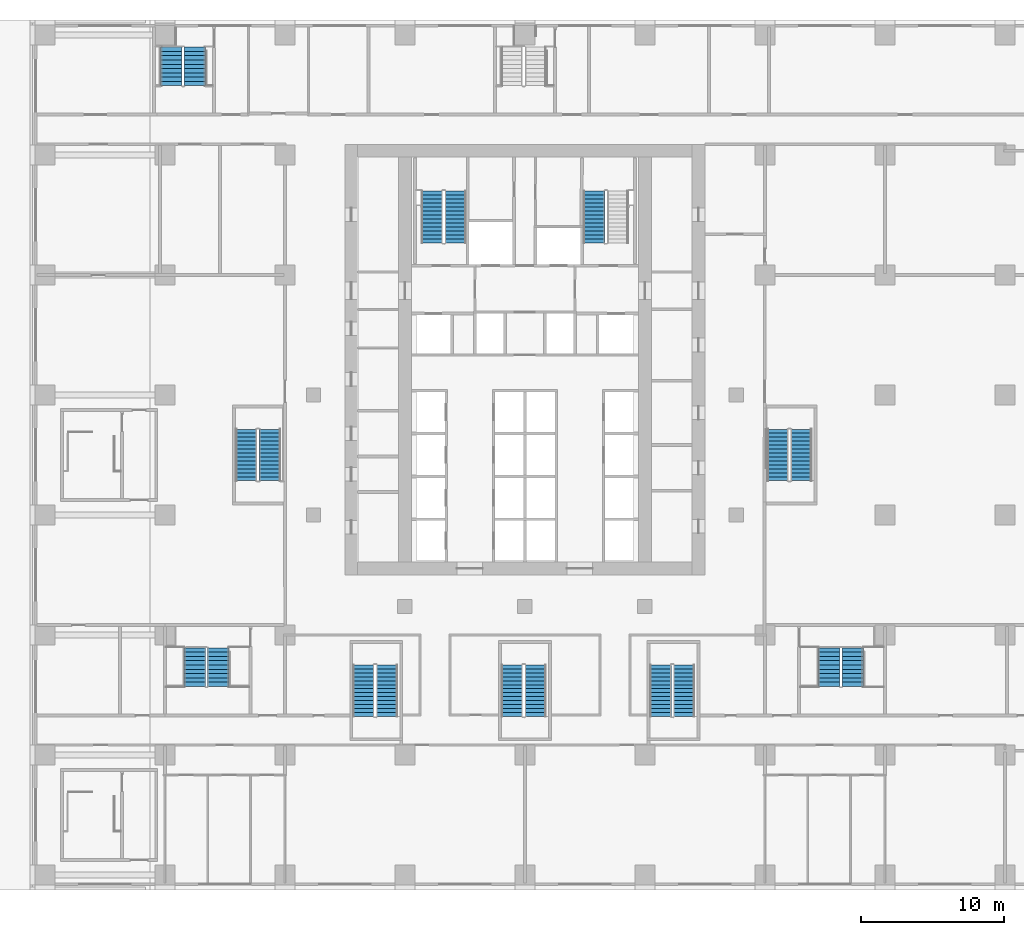
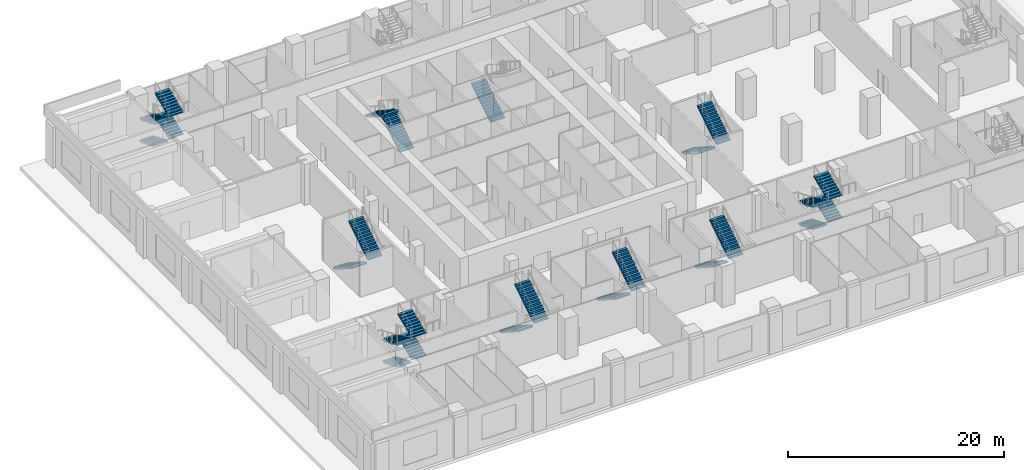
# One storey, part 18 of 29: 25 stair flights, 10 elements without a shape of their own.
"""IFC4 building model written with IfcOpenShell, lengths in metres."""

from ifc_helpers import new_model, si_unit, direction, frame, origin, place, context, subcontext, project, spatial, polyline, outline, extrude, material, type_object, element, aggregate, save


model = new_model("IFC4")

# Units and contexts
model_context = context("Model", 3, precision=1e-05, world=origin(), true_north=direction((0.0, 1.0)))
body_context = subcontext(model_context, "Body", "Model", "MODEL_VIEW")
ifc_project = project(units=[si_unit("LENGTHUNIT", "METRE"), si_unit("AREAUNIT", "SQUARE_METRE"), si_unit("VOLUMEUNIT", "CUBIC_METRE"), si_unit("PLANEANGLEUNIT", "RADIAN"), si_unit("MASSUNIT", "GRAM", prefix="KILO")], contexts=[model_context])

# Site, building, storey
site_placement = place(None, origin())
site = spatial("IfcSite", under=ifc_project, at=site_placement, CompositionType="ELEMENT")
building_placement = place(site_placement, origin())
building = spatial("IfcBuilding", under=site, at=building_placement, Name="Vermilion Ogive Tower", CompositionType="ELEMENT")
storey_placement = place(building_placement, frame((0.0, 0.0, 7.5)))
storey = spatial("IfcBuildingStorey", under=building, at=storey_placement, Name="L01", CompositionType="ELEMENT", Elevation=7.5)

# Stair, stair flights
ifc_material_1 = material(Name="Concrete B40", Category="concrete")
stair_type = type_object("IfcStairType", Name="Exit stair 1500", PredefinedType="HALF_TURN_STAIR", material=ifc_material_1)
stair_1_placement = place(storey_placement, origin())
stair_1 = element("IfcStair", 1, at=stair_1_placement, inside=storey, type_object=stair_type, Name="L01 Exit Stair ST1", PredefinedType="HALF_TURN_STAIR")
ifc_material_2 = material(Name="Concrete B40", Category="concrete")
stair_flight_type = type_object("IfcStairFlightType", Name="Stair flight 1500", PredefinedType="STRAIGHT", material=ifc_material_2)
stair_flight_1_placement = place(storey_placement, frame((-4.85009765625, 14.85009765625, 0.0), z_axis=(0.0, 0.0, 1.0), x_axis=(0.0, 1.0, 0.0)))
stair_flight_1 = element("IfcStairFlight", 2, at=stair_flight_1_placement, type_object=stair_flight_type, Name="ST1 flight 1", NumberOfRisers=14, NumberOfTreads=13, PredefinedType="STRAIGHT", RiserHeight=0.178571429, TreadLength=0.28, context=body_context, shape_type="SweptSolid", body=[
    extrude(outline(polyline([(0.0, 0.0), (0.0, 0.178466796875), (0.280029296875, 0.178466796875), (0.280029296875, 0.357177734375), (0.56005859375, 0.357177734375), (0.56005859375, 0.53564453125), (0.840087890625, 0.53564453125), (0.840087890625, 0.71435546875), (1.1201171875, 0.71435546875), (1.1201171875, 0.892822265625), (1.39990234375, 0.892822265625), (1.39990234375, 1.071533203125), (1.679931640625, 1.071533203125), (1.679931640625, 1.25), (1.9599609375, 1.25), (1.9599609375, 1.428466796875), (2.239990234375, 1.428466796875), (2.239990234375, 1.607177734375), (2.52001953125, 1.607177734375), (2.52001953125, 1.78564453125), (2.800048828125, 1.78564453125), (2.800048828125, 1.96435546875), (3.080078125, 1.96435546875), (3.080078125, 2.142822265625), (3.360107421875, 2.142822265625), (3.360107421875, 2.321533203125), (3.639892578125, 2.321533203125), (3.639892578125, 2.5), (3.639892578125, 2.1435546875), (0.27880859375, 0.0), (0.0, 0.0)])), frame((0.0, 0.75, 0.0), z_axis=(0.0, -1.0, 0.0), x_axis=(1.0, 0.0, 0.0)), (0.0, 0.0, 1.0), 1.5),
])
stair_flight_2_placement = place(storey_placement, frame((-6.5, 18.489990234375, 2.5), z_axis=(0.0, 0.0, 1.0), x_axis=(0.0, -1.0, 0.0)))
stair_flight_2 = element("IfcStairFlight", 3, at=stair_flight_2_placement, type_object=stair_flight_type, Name="ST1 flight 2", NumberOfRisers=14, NumberOfTreads=13, PredefinedType="STRAIGHT", RiserHeight=0.178571429, TreadLength=0.28, context=body_context, shape_type="SweptSolid", body=[
    extrude(outline(polyline([(0.0, 0.0), (0.0, 0.178466796875), (0.280029296875, 0.178466796875), (0.280029296875, 0.357177734375), (0.56005859375, 0.357177734375), (0.56005859375, 0.53564453125), (0.840087890625, 0.53564453125), (0.840087890625, 0.71435546875), (1.1201171875, 0.71435546875), (1.1201171875, 0.892822265625), (1.39990234375, 0.892822265625), (1.39990234375, 1.071533203125), (1.679931640625, 1.071533203125), (1.679931640625, 1.25), (1.9599609375, 1.25), (1.9599609375, 1.428466796875), (2.239990234375, 1.428466796875), (2.239990234375, 1.607177734375), (2.52001953125, 1.607177734375), (2.52001953125, 1.78564453125), (2.800048828125, 1.78564453125), (2.800048828125, 1.96435546875), (3.080078125, 1.96435546875), (3.080078125, 2.142822265625), (3.360107421875, 2.142822265625), (3.360107421875, 2.321533203125), (3.639892578125, 2.321533203125), (3.639892578125, 2.5), (3.639892578125, 2.1435546875), (0.27880859375, 0.0), (0.0, 0.0)])), frame((0.0, 0.75, 0.0), z_axis=(0.0, -1.0, 0.0), x_axis=(1.0, 0.0, 0.0)), (0.0, 0.0, 1.0), 1.5),
])
aggregate(stair_1, [stair_flight_1, stair_flight_2])

# Stair, stair flight
stair_2_placement = place(storey_placement, origin())
stair_2 = element("IfcStair", 4, at=stair_2_placement, inside=storey, type_object=stair_type, Name="L01 Exit Stair ST2", PredefinedType="HALF_TURN_STAIR")
stair_flight_3_placement = place(storey_placement, frame((4.85009765625, 14.85009765625, 0.0), z_axis=(0.0, 0.0, 1.0), x_axis=(0.0, 1.0, 0.0)))
stair_flight_3 = element("IfcStairFlight", 5, at=stair_flight_3_placement, type_object=stair_flight_type, Name="ST2 flight 1", NumberOfRisers=14, NumberOfTreads=13, PredefinedType="STRAIGHT", RiserHeight=0.178571429, TreadLength=0.28, context=body_context, shape_type="SweptSolid", body=[
    extrude(outline(polyline([(0.0, 0.0), (0.0, 0.178466796875), (0.280029296875, 0.178466796875), (0.280029296875, 0.357177734375), (0.56005859375, 0.357177734375), (0.56005859375, 0.53564453125), (0.840087890625, 0.53564453125), (0.840087890625, 0.71435546875), (1.1201171875, 0.71435546875), (1.1201171875, 0.892822265625), (1.39990234375, 0.892822265625), (1.39990234375, 1.071533203125), (1.679931640625, 1.071533203125), (1.679931640625, 1.25), (1.9599609375, 1.25), (1.9599609375, 1.428466796875), (2.239990234375, 1.428466796875), (2.239990234375, 1.607177734375), (2.52001953125, 1.607177734375), (2.52001953125, 1.78564453125), (2.800048828125, 1.78564453125), (2.800048828125, 1.96435546875), (3.080078125, 1.96435546875), (3.080078125, 2.142822265625), (3.360107421875, 2.142822265625), (3.360107421875, 2.321533203125), (3.639892578125, 2.321533203125), (3.639892578125, 2.5), (3.639892578125, 2.1435546875), (0.27880859375, 0.0), (0.0, 0.0)])), frame((0.0, 0.75, 0.0), z_axis=(0.0, -1.0, 0.0), x_axis=(1.0, 0.0, 0.0)), (0.0, 0.0, 1.0), 1.5),
])
aggregate(stair_2, [stair_flight_3])

# Stair, stair flights
stair_3_placement = place(storey_placement, origin())
stair_3 = element("IfcStair", 6, at=stair_3_placement, inside=storey, type_object=stair_type, Name="L01 Exit Stair ST3", PredefinedType="HALF_TURN_STAIR")
stair_flight_4_placement = place(storey_placement, frame((-11.300048828125, -14.699951171875, 0.0), z_axis=(0.0, 0.0, 1.0), x_axis=(0.0, -1.0, 0.0)))
stair_flight_4 = element("IfcStairFlight", 7, at=stair_flight_4_placement, type_object=stair_flight_type, Name="ST3 flight 1", NumberOfRisers=14, NumberOfTreads=13, PredefinedType="STRAIGHT", RiserHeight=0.178571429, TreadLength=0.276923077, context=body_context, shape_type="SweptSolid", body=[
    extrude(outline(polyline([(0.0, 0.0), (0.0, 0.178466796875), (0.27685546875, 0.178466796875), (0.27685546875, 0.357177734375), (0.553955078125, 0.357177734375), (0.553955078125, 0.53564453125), (0.830810546875, 0.53564453125), (0.830810546875, 0.71435546875), (1.107666015625, 0.71435546875), (1.107666015625, 0.892822265625), (1.384521484375, 0.892822265625), (1.384521484375, 1.071533203125), (1.66162109375, 1.071533203125), (1.66162109375, 1.25), (1.9384765625, 1.25), (1.9384765625, 1.428466796875), (2.21533203125, 1.428466796875), (2.21533203125, 1.607177734375), (2.4921875, 1.607177734375), (2.4921875, 1.78564453125), (2.769287109375, 1.78564453125), (2.769287109375, 1.96435546875), (3.046142578125, 1.96435546875), (3.046142578125, 2.142822265625), (3.322998046875, 2.142822265625), (3.322998046875, 2.321533203125), (3.60009765625, 2.321533203125), (3.60009765625, 2.5), (3.60009765625, 2.14306640625), (0.276611328125, 0.0), (0.0, 0.0)])), frame((0.0, 0.75, 0.0), z_axis=(0.0, -1.0, 0.0), x_axis=(1.0, 0.0, 0.0)), (0.0, 0.0, 1.0), 1.5),
])
stair_flight_5_placement = place(storey_placement, frame((-9.64990234375, -18.300048828125, 2.5), z_axis=(0.0, 0.0, 1.0), x_axis=(0.0, 1.0, 0.0)))
stair_flight_5 = element("IfcStairFlight", 8, at=stair_flight_5_placement, type_object=stair_flight_type, Name="ST3 flight 2", NumberOfRisers=14, NumberOfTreads=13, PredefinedType="STRAIGHT", RiserHeight=0.178571429, TreadLength=0.276923077, context=body_context, shape_type="SweptSolid", body=[
    extrude(outline(polyline([(0.0, 0.0), (0.0, 0.178466796875), (0.27685546875, 0.178466796875), (0.27685546875, 0.357177734375), (0.553955078125, 0.357177734375), (0.553955078125, 0.53564453125), (0.830810546875, 0.53564453125), (0.830810546875, 0.71435546875), (1.107666015625, 0.71435546875), (1.107666015625, 0.892822265625), (1.384521484375, 0.892822265625), (1.384521484375, 1.071533203125), (1.66162109375, 1.071533203125), (1.66162109375, 1.25), (1.9384765625, 1.25), (1.9384765625, 1.428466796875), (2.21533203125, 1.428466796875), (2.21533203125, 1.607177734375), (2.4921875, 1.607177734375), (2.4921875, 1.78564453125), (2.769287109375, 1.78564453125), (2.769287109375, 1.96435546875), (3.046142578125, 1.96435546875), (3.046142578125, 2.142822265625), (3.322998046875, 2.142822265625), (3.322998046875, 2.321533203125), (3.60009765625, 2.321533203125), (3.60009765625, 2.5), (3.60009765625, 2.14306640625), (0.276611328125, 0.0), (0.0, 0.0)])), frame((0.0, 0.75, 0.0), z_axis=(0.0, -1.0, 0.0), x_axis=(1.0, 0.0, 0.0)), (0.0, 0.0, 1.0), 1.5),
])
aggregate(stair_3, [stair_flight_4, stair_flight_5])

stair_4_placement = place(storey_placement, origin())
stair_4 = element("IfcStair", 9, at=stair_4_placement, inside=storey, type_object=stair_type, Name="L01 Exit Stair ST4", PredefinedType="HALF_TURN_STAIR")
stair_flight_6_placement = place(storey_placement, frame((-0.89990234375, -14.699951171875, 0.0), z_axis=(0.0, 0.0, 1.0), x_axis=(0.0, -1.0, 0.0)))
stair_flight_6 = element("IfcStairFlight", 10, at=stair_flight_6_placement, type_object=stair_flight_type, Name="ST4 flight 1", NumberOfRisers=14, NumberOfTreads=13, PredefinedType="STRAIGHT", RiserHeight=0.178571429, TreadLength=0.276923077, context=body_context, shape_type="SweptSolid", body=[
    extrude(outline(polyline([(0.0, 0.0), (0.0, 0.178466796875), (0.27685546875, 0.178466796875), (0.27685546875, 0.357177734375), (0.553955078125, 0.357177734375), (0.553955078125, 0.53564453125), (0.830810546875, 0.53564453125), (0.830810546875, 0.71435546875), (1.107666015625, 0.71435546875), (1.107666015625, 0.892822265625), (1.384521484375, 0.892822265625), (1.384521484375, 1.071533203125), (1.66162109375, 1.071533203125), (1.66162109375, 1.25), (1.9384765625, 1.25), (1.9384765625, 1.428466796875), (2.21533203125, 1.428466796875), (2.21533203125, 1.607177734375), (2.4921875, 1.607177734375), (2.4921875, 1.78564453125), (2.769287109375, 1.78564453125), (2.769287109375, 1.96435546875), (3.046142578125, 1.96435546875), (3.046142578125, 2.142822265625), (3.322998046875, 2.142822265625), (3.322998046875, 2.321533203125), (3.60009765625, 2.321533203125), (3.60009765625, 2.5), (3.60009765625, 2.14306640625), (0.276611328125, 0.0), (0.0, 0.0)])), frame((0.0, 0.75, 0.0), z_axis=(0.0, -1.0, 0.0), x_axis=(1.0, 0.0, 0.0)), (0.0, 0.0, 1.0), 1.5),
])
stair_flight_7_placement = place(storey_placement, frame((0.75, -18.300048828125, 2.5), z_axis=(0.0, 0.0, 1.0), x_axis=(0.0, 1.0, 0.0)))
stair_flight_7 = element("IfcStairFlight", 11, at=stair_flight_7_placement, type_object=stair_flight_type, Name="ST4 flight 2", NumberOfRisers=14, NumberOfTreads=13, PredefinedType="STRAIGHT", RiserHeight=0.178571429, TreadLength=0.276923077, context=body_context, shape_type="SweptSolid", body=[
    extrude(outline(polyline([(0.0, 0.0), (0.0, 0.178466796875), (0.27685546875, 0.178466796875), (0.27685546875, 0.357177734375), (0.553955078125, 0.357177734375), (0.553955078125, 0.53564453125), (0.830810546875, 0.53564453125), (0.830810546875, 0.71435546875), (1.107666015625, 0.71435546875), (1.107666015625, 0.892822265625), (1.384521484375, 0.892822265625), (1.384521484375, 1.071533203125), (1.66162109375, 1.071533203125), (1.66162109375, 1.25), (1.9384765625, 1.25), (1.9384765625, 1.428466796875), (2.21533203125, 1.428466796875), (2.21533203125, 1.607177734375), (2.4921875, 1.607177734375), (2.4921875, 1.78564453125), (2.769287109375, 1.78564453125), (2.769287109375, 1.96435546875), (3.046142578125, 1.96435546875), (3.046142578125, 2.142822265625), (3.322998046875, 2.142822265625), (3.322998046875, 2.321533203125), (3.60009765625, 2.321533203125), (3.60009765625, 2.5), (3.60009765625, 2.14306640625), (0.276611328125, 0.0), (0.0, 0.0)])), frame((0.0, 0.75, 0.0), z_axis=(0.0, -1.0, 0.0), x_axis=(1.0, 0.0, 0.0)), (0.0, 0.0, 1.0), 1.5),
])
aggregate(stair_4, [stair_flight_6, stair_flight_7])

stair_5_placement = place(storey_placement, origin())
stair_5 = element("IfcStair", 12, at=stair_5_placement, inside=storey, type_object=stair_type, Name="L01 Exit Stair ST5", PredefinedType="HALF_TURN_STAIR")
stair_flight_8_placement = place(storey_placement, frame((9.5, -14.699951171875, 0.0), z_axis=(0.0, 0.0, 1.0), x_axis=(0.0, -1.0, 0.0)))
stair_flight_8 = element("IfcStairFlight", 13, at=stair_flight_8_placement, type_object=stair_flight_type, Name="ST5 flight 1", NumberOfRisers=14, NumberOfTreads=13, PredefinedType="STRAIGHT", RiserHeight=0.178571429, TreadLength=0.276923077, context=body_context, shape_type="SweptSolid", body=[
    extrude(outline(polyline([(0.0, 0.0), (0.0, 0.178466796875), (0.27685546875, 0.178466796875), (0.27685546875, 0.357177734375), (0.553955078125, 0.357177734375), (0.553955078125, 0.53564453125), (0.830810546875, 0.53564453125), (0.830810546875, 0.71435546875), (1.107666015625, 0.71435546875), (1.107666015625, 0.892822265625), (1.384521484375, 0.892822265625), (1.384521484375, 1.071533203125), (1.66162109375, 1.071533203125), (1.66162109375, 1.25), (1.9384765625, 1.25), (1.9384765625, 1.428466796875), (2.21533203125, 1.428466796875), (2.21533203125, 1.607177734375), (2.4921875, 1.607177734375), (2.4921875, 1.78564453125), (2.769287109375, 1.78564453125), (2.769287109375, 1.96435546875), (3.046142578125, 1.96435546875), (3.046142578125, 2.142822265625), (3.322998046875, 2.142822265625), (3.322998046875, 2.321533203125), (3.60009765625, 2.321533203125), (3.60009765625, 2.5), (3.60009765625, 2.14306640625), (0.276611328125, 0.0), (0.0, 0.0)])), frame((0.0, 0.75, 0.0), z_axis=(0.0, -1.0, 0.0), x_axis=(1.0, 0.0, 0.0)), (0.0, 0.0, 1.0), 1.5),
])
stair_flight_9_placement = place(storey_placement, frame((11.14990234375, -18.300048828125, 2.5), z_axis=(0.0, 0.0, 1.0), x_axis=(0.0, 1.0, 0.0)))
stair_flight_9 = element("IfcStairFlight", 14, at=stair_flight_9_placement, type_object=stair_flight_type, Name="ST5 flight 2", NumberOfRisers=14, NumberOfTreads=13, PredefinedType="STRAIGHT", RiserHeight=0.178571429, TreadLength=0.276923077, context=body_context, shape_type="SweptSolid", body=[
    extrude(outline(polyline([(0.0, 0.0), (0.0, 0.178466796875), (0.27685546875, 0.178466796875), (0.27685546875, 0.357177734375), (0.553955078125, 0.357177734375), (0.553955078125, 0.53564453125), (0.830810546875, 0.53564453125), (0.830810546875, 0.71435546875), (1.107666015625, 0.71435546875), (1.107666015625, 0.892822265625), (1.384521484375, 0.892822265625), (1.384521484375, 1.071533203125), (1.66162109375, 1.071533203125), (1.66162109375, 1.25), (1.9384765625, 1.25), (1.9384765625, 1.428466796875), (2.21533203125, 1.428466796875), (2.21533203125, 1.607177734375), (2.4921875, 1.607177734375), (2.4921875, 1.78564453125), (2.769287109375, 1.78564453125), (2.769287109375, 1.96435546875), (3.046142578125, 1.96435546875), (3.046142578125, 2.142822265625), (3.322998046875, 2.142822265625), (3.322998046875, 2.321533203125), (3.60009765625, 2.321533203125), (3.60009765625, 2.5), (3.60009765625, 2.14306640625), (0.276611328125, 0.0), (0.0, 0.0)])), frame((0.0, 0.75, 0.0), z_axis=(0.0, -1.0, 0.0), x_axis=(1.0, 0.0, 0.0)), (0.0, 0.0, 1.0), 1.5),
])
aggregate(stair_5, [stair_flight_8, stair_flight_9])

stair_6_placement = place(storey_placement, origin())
stair_6 = element("IfcStair", 15, at=stair_6_placement, inside=storey, type_object=stair_type, Name="L01 Exit Stair ST8", PredefinedType="HALF_TURN_STAIR")
stair_flight_10_placement = place(storey_placement, frame((17.699951171875, 1.800048828125, 0.0), z_axis=(0.0, 0.0, 1.0), x_axis=(0.0, -1.0, 0.0)))
stair_flight_10 = element("IfcStairFlight", 16, at=stair_flight_10_placement, type_object=stair_flight_type, Name="ST8 flight 1", NumberOfRisers=14, NumberOfTreads=13, PredefinedType="STRAIGHT", RiserHeight=0.178571429, TreadLength=0.276923077, context=body_context, shape_type="SweptSolid", body=[
    extrude(outline(polyline([(0.0, 0.0), (0.0, 0.178466796875), (0.27685546875, 0.178466796875), (0.27685546875, 0.357177734375), (0.553955078125, 0.357177734375), (0.553955078125, 0.53564453125), (0.830810546875, 0.53564453125), (0.830810546875, 0.71435546875), (1.107666015625, 0.71435546875), (1.107666015625, 0.892822265625), (1.384521484375, 0.892822265625), (1.384521484375, 1.071533203125), (1.66162109375, 1.071533203125), (1.66162109375, 1.25), (1.9384765625, 1.25), (1.9384765625, 1.428466796875), (2.21533203125, 1.428466796875), (2.21533203125, 1.607177734375), (2.4921875, 1.607177734375), (2.4921875, 1.78564453125), (2.769287109375, 1.78564453125), (2.769287109375, 1.96435546875), (3.046142578125, 1.96435546875), (3.046142578125, 2.142822265625), (3.322998046875, 2.142822265625), (3.322998046875, 2.321533203125), (3.60009765625, 2.321533203125), (3.60009765625, 2.5), (3.60009765625, 2.14306640625), (0.276611328125, 0.0), (0.0, 0.0)])), frame((0.0, 0.75, 0.0), z_axis=(0.0, -1.0, 0.0), x_axis=(1.0, 0.0, 0.0)), (0.0, 0.0, 1.0), 1.5),
])
stair_flight_11_placement = place(storey_placement, frame((19.35009765625, -1.800048828125, 2.5), z_axis=(0.0, 0.0, 1.0), x_axis=(0.0, 1.0, 0.0)))
stair_flight_11 = element("IfcStairFlight", 17, at=stair_flight_11_placement, type_object=stair_flight_type, Name="ST8 flight 2", NumberOfRisers=14, NumberOfTreads=13, PredefinedType="STRAIGHT", RiserHeight=0.178571429, TreadLength=0.276923077, context=body_context, shape_type="SweptSolid", body=[
    extrude(outline(polyline([(0.0, 0.0), (0.0, 0.178466796875), (0.27685546875, 0.178466796875), (0.27685546875, 0.357177734375), (0.553955078125, 0.357177734375), (0.553955078125, 0.53564453125), (0.830810546875, 0.53564453125), (0.830810546875, 0.71435546875), (1.107666015625, 0.71435546875), (1.107666015625, 0.892822265625), (1.384521484375, 0.892822265625), (1.384521484375, 1.071533203125), (1.66162109375, 1.071533203125), (1.66162109375, 1.25), (1.9384765625, 1.25), (1.9384765625, 1.428466796875), (2.21533203125, 1.428466796875), (2.21533203125, 1.607177734375), (2.4921875, 1.607177734375), (2.4921875, 1.78564453125), (2.769287109375, 1.78564453125), (2.769287109375, 1.96435546875), (3.046142578125, 1.96435546875), (3.046142578125, 2.142822265625), (3.322998046875, 2.142822265625), (3.322998046875, 2.321533203125), (3.60009765625, 2.321533203125), (3.60009765625, 2.5), (3.60009765625, 2.14306640625), (0.276611328125, 0.0), (0.0, 0.0)])), frame((0.0, 0.75, 0.0), z_axis=(0.0, -1.0, 0.0), x_axis=(1.0, 0.0, 0.0)), (0.0, 0.0, 1.0), 1.5),
])
aggregate(stair_6, [stair_flight_10, stair_flight_11])

stair_7_placement = place(storey_placement, origin())
stair_7 = element("IfcStair", 18, at=stair_7_placement, inside=storey, type_object=stair_type, Name="L01 Exit Stair ST9", PredefinedType="HALF_TURN_STAIR")
stair_flight_12_placement = place(storey_placement, frame((-19.5, 1.800048828125, 0.0), z_axis=(0.0, 0.0, 1.0), x_axis=(0.0, -1.0, 0.0)))
stair_flight_12 = element("IfcStairFlight", 19, at=stair_flight_12_placement, type_object=stair_flight_type, Name="ST9 flight 1", NumberOfRisers=14, NumberOfTreads=13, PredefinedType="STRAIGHT", RiserHeight=0.178571429, TreadLength=0.276923077, context=body_context, shape_type="SweptSolid", body=[
    extrude(outline(polyline([(0.0, 0.0), (0.0, 0.178466796875), (0.27685546875, 0.178466796875), (0.27685546875, 0.357177734375), (0.553955078125, 0.357177734375), (0.553955078125, 0.53564453125), (0.830810546875, 0.53564453125), (0.830810546875, 0.71435546875), (1.107666015625, 0.71435546875), (1.107666015625, 0.892822265625), (1.384521484375, 0.892822265625), (1.384521484375, 1.071533203125), (1.66162109375, 1.071533203125), (1.66162109375, 1.25), (1.9384765625, 1.25), (1.9384765625, 1.428466796875), (2.21533203125, 1.428466796875), (2.21533203125, 1.607177734375), (2.4921875, 1.607177734375), (2.4921875, 1.78564453125), (2.769287109375, 1.78564453125), (2.769287109375, 1.96435546875), (3.046142578125, 1.96435546875), (3.046142578125, 2.142822265625), (3.322998046875, 2.142822265625), (3.322998046875, 2.321533203125), (3.60009765625, 2.321533203125), (3.60009765625, 2.5), (3.60009765625, 2.14306640625), (0.276611328125, 0.0), (0.0, 0.0)])), frame((0.0, 0.75, 0.0), z_axis=(0.0, -1.0, 0.0), x_axis=(1.0, 0.0, 0.0)), (0.0, 0.0, 1.0), 1.5),
])
stair_flight_13_placement = place(storey_placement, frame((-17.85009765625, -1.800048828125, 2.5), z_axis=(0.0, 0.0, 1.0), x_axis=(0.0, 1.0, 0.0)))
stair_flight_13 = element("IfcStairFlight", 20, at=stair_flight_13_placement, type_object=stair_flight_type, Name="ST9 flight 2", NumberOfRisers=14, NumberOfTreads=13, PredefinedType="STRAIGHT", RiserHeight=0.178571429, TreadLength=0.276923077, context=body_context, shape_type="SweptSolid", body=[
    extrude(outline(polyline([(0.0, 0.0), (0.0, 0.178466796875), (0.27685546875, 0.178466796875), (0.27685546875, 0.357177734375), (0.553955078125, 0.357177734375), (0.553955078125, 0.53564453125), (0.830810546875, 0.53564453125), (0.830810546875, 0.71435546875), (1.107666015625, 0.71435546875), (1.107666015625, 0.892822265625), (1.384521484375, 0.892822265625), (1.384521484375, 1.071533203125), (1.66162109375, 1.071533203125), (1.66162109375, 1.25), (1.9384765625, 1.25), (1.9384765625, 1.428466796875), (2.21533203125, 1.428466796875), (2.21533203125, 1.607177734375), (2.4921875, 1.607177734375), (2.4921875, 1.78564453125), (2.769287109375, 1.78564453125), (2.769287109375, 1.96435546875), (3.046142578125, 1.96435546875), (3.046142578125, 2.142822265625), (3.322998046875, 2.142822265625), (3.322998046875, 2.321533203125), (3.60009765625, 2.321533203125), (3.60009765625, 2.5), (3.60009765625, 2.14306640625), (0.276611328125, 0.0), (0.0, 0.0)])), frame((0.0, 0.75, 0.0), z_axis=(0.0, -1.0, 0.0), x_axis=(1.0, 0.0, 0.0)), (0.0, 0.0, 1.0), 1.5),
])
aggregate(stair_7, [stair_flight_12, stair_flight_13])

stair_8_placement = place(storey_placement, origin())
stair_8 = element("IfcStair", 21, at=stair_8_placement, inside=storey, type_object=stair_type, Name="L01 Exit Stair PS1", PredefinedType="HALF_TURN_STAIR")
stair_flight_14_placement = place(storey_placement, frame((-24.75, 28.550048828125, 0.0), z_axis=(0.0, 0.0, 1.0), x_axis=(0.0, -1.0, 0.0)))
stair_flight_14 = element("IfcStairFlight", 22, at=stair_flight_14_placement, type_object=stair_flight_type, Name="PS1 flight 1", NumberOfRisers=10, NumberOfTreads=9, PredefinedType="STRAIGHT", RiserHeight=0.125, TreadLength=0.3, context=body_context, shape_type="SweptSolid", body=[
    extrude(outline(polyline([(0.0, 0.0), (0.0, 0.125), (0.300048828125, 0.125), (0.300048828125, 0.25), (0.60009765625, 0.25), (0.60009765625, 0.375), (0.89990234375, 0.375), (0.89990234375, 0.5), (1.199951171875, 0.5), (1.199951171875, 0.625), (1.5, 0.625), (1.5, 0.75), (1.800048828125, 0.75), (1.800048828125, 0.875), (2.10009765625, 0.875), (2.10009765625, 1.0), (2.39990234375, 1.0), (2.39990234375, 1.125), (2.699951171875, 1.125), (2.699951171875, 1.25), (2.699951171875, 0.962646484375), (0.3896484375, 0.0), (0.0, 0.0)])), frame((0.0, 0.75, 0.0), z_axis=(0.0, -1.0, 0.0), x_axis=(1.0, 0.0, 0.0)), (0.0, 0.0, 1.0), 1.5),
])
stair_flight_15_placement = place(storey_placement, frame((-23.10009765625, 25.85009765625, 1.25), z_axis=(0.0, 0.0, 1.0), x_axis=(0.0, 1.0, 0.0)))
stair_flight_15 = element("IfcStairFlight", 23, at=stair_flight_15_placement, type_object=stair_flight_type, Name="PS1 flight 2", NumberOfRisers=10, NumberOfTreads=9, PredefinedType="STRAIGHT", RiserHeight=0.125, TreadLength=0.3, context=body_context, shape_type="SweptSolid", body=[
    extrude(outline(polyline([(0.0, 0.0), (0.0, 0.125), (0.300048828125, 0.125), (0.300048828125, 0.25), (0.60009765625, 0.25), (0.60009765625, 0.375), (0.89990234375, 0.375), (0.89990234375, 0.5), (1.199951171875, 0.5), (1.199951171875, 0.625), (1.5, 0.625), (1.5, 0.75), (1.800048828125, 0.75), (1.800048828125, 0.875), (2.10009765625, 0.875), (2.10009765625, 1.0), (2.39990234375, 1.0), (2.39990234375, 1.125), (2.699951171875, 1.125), (2.699951171875, 1.25), (2.699951171875, 0.962646484375), (0.3896484375, 0.0), (0.0, 0.0)])), frame((0.0, 0.75, 0.0), z_axis=(0.0, -1.0, 0.0), x_axis=(1.0, 0.0, 0.0)), (0.0, 0.0, 1.0), 1.5),
])
stair_flight_16_placement = place(storey_placement, frame((-24.75, 28.550048828125, 2.5), z_axis=(0.0, 0.0, 1.0), x_axis=(0.0, -1.0, 0.0)))
stair_flight_16 = element("IfcStairFlight", 24, at=stair_flight_16_placement, type_object=stair_flight_type, Name="PS1 flight 3", NumberOfRisers=10, NumberOfTreads=9, PredefinedType="STRAIGHT", RiserHeight=0.125, TreadLength=0.3, context=body_context, shape_type="SweptSolid", body=[
    extrude(outline(polyline([(0.0, 0.0), (0.0, 0.125), (0.300048828125, 0.125), (0.300048828125, 0.25), (0.60009765625, 0.25), (0.60009765625, 0.375), (0.89990234375, 0.375), (0.89990234375, 0.5), (1.199951171875, 0.5), (1.199951171875, 0.625), (1.5, 0.625), (1.5, 0.75), (1.800048828125, 0.75), (1.800048828125, 0.875), (2.10009765625, 0.875), (2.10009765625, 1.0), (2.39990234375, 1.0), (2.39990234375, 1.125), (2.699951171875, 1.125), (2.699951171875, 1.25), (2.699951171875, 0.962646484375), (0.3896484375, 0.0), (0.0, 0.0)])), frame((0.0, 0.75, 0.0), z_axis=(0.0, -1.0, 0.0), x_axis=(1.0, 0.0, 0.0)), (0.0, 0.0, 1.0), 1.5),
])
stair_flight_17_placement = place(storey_placement, frame((-23.10009765625, 25.85009765625, 3.75), z_axis=(0.0, 0.0, 1.0), x_axis=(0.0, 1.0, 0.0)))
stair_flight_17 = element("IfcStairFlight", 25, at=stair_flight_17_placement, type_object=stair_flight_type, Name="PS1 flight 4", NumberOfRisers=10, NumberOfTreads=9, PredefinedType="STRAIGHT", RiserHeight=0.125, TreadLength=0.3, context=body_context, shape_type="SweptSolid", body=[
    extrude(outline(polyline([(0.0, 0.0), (0.0, 0.125), (0.300048828125, 0.125), (0.300048828125, 0.25), (0.60009765625, 0.25), (0.60009765625, 0.375), (0.89990234375, 0.375), (0.89990234375, 0.5), (1.199951171875, 0.5), (1.199951171875, 0.625), (1.5, 0.625), (1.5, 0.75), (1.800048828125, 0.75), (1.800048828125, 0.875), (2.10009765625, 0.875), (2.10009765625, 1.0), (2.39990234375, 1.0), (2.39990234375, 1.125), (2.699951171875, 1.125), (2.699951171875, 1.25), (2.699951171875, 0.962646484375), (0.3896484375, 0.0), (0.0, 0.0)])), frame((0.0, 0.75, 0.0), z_axis=(0.0, -1.0, 0.0), x_axis=(1.0, 0.0, 0.0)), (0.0, 0.0, 1.0), 1.5),
])
aggregate(stair_8, [stair_flight_14, stair_flight_15, stair_flight_16, stair_flight_17])

stair_9_placement = place(storey_placement, origin())
stair_9 = element("IfcStair", 26, at=stair_9_placement, inside=storey, type_object=stair_type, Name="L01 Exit Stair PS3", PredefinedType="HALF_TURN_STAIR")
stair_flight_18_placement = place(storey_placement, frame((21.300048828125, -13.5, 0.0), z_axis=(0.0, 0.0, 1.0), x_axis=(0.0, -1.0, 0.0)))
stair_flight_18 = element("IfcStairFlight", 27, at=stair_flight_18_placement, type_object=stair_flight_type, Name="PS3 flight 1", NumberOfRisers=10, NumberOfTreads=9, PredefinedType="STRAIGHT", RiserHeight=0.125, TreadLength=0.3, context=body_context, shape_type="SweptSolid", body=[
    extrude(outline(polyline([(0.0, 0.0), (0.0, 0.125), (0.300048828125, 0.125), (0.300048828125, 0.25), (0.60009765625, 0.25), (0.60009765625, 0.375), (0.89990234375, 0.375), (0.89990234375, 0.5), (1.199951171875, 0.5), (1.199951171875, 0.625), (1.5, 0.625), (1.5, 0.75), (1.800048828125, 0.75), (1.800048828125, 0.875), (2.10009765625, 0.875), (2.10009765625, 1.0), (2.39990234375, 1.0), (2.39990234375, 1.125), (2.699951171875, 1.125), (2.699951171875, 1.25), (2.699951171875, 0.962646484375), (0.3896484375, 0.0), (0.0, 0.0)])), frame((0.0, 0.75, 0.0), z_axis=(0.0, -1.0, 0.0), x_axis=(1.0, 0.0, 0.0)), (0.0, 0.0, 1.0), 1.5),
])
stair_flight_19_placement = place(storey_placement, frame((22.949951171875, -16.199951171875, 1.25), z_axis=(0.0, 0.0, 1.0), x_axis=(0.0, 1.0, 0.0)))
stair_flight_19 = element("IfcStairFlight", 28, at=stair_flight_19_placement, type_object=stair_flight_type, Name="PS3 flight 2", NumberOfRisers=10, NumberOfTreads=9, PredefinedType="STRAIGHT", RiserHeight=0.125, TreadLength=0.3, context=body_context, shape_type="SweptSolid", body=[
    extrude(outline(polyline([(0.0, 0.0), (0.0, 0.125), (0.300048828125, 0.125), (0.300048828125, 0.25), (0.60009765625, 0.25), (0.60009765625, 0.375), (0.89990234375, 0.375), (0.89990234375, 0.5), (1.199951171875, 0.5), (1.199951171875, 0.625), (1.5, 0.625), (1.5, 0.75), (1.800048828125, 0.75), (1.800048828125, 0.875), (2.10009765625, 0.875), (2.10009765625, 1.0), (2.39990234375, 1.0), (2.39990234375, 1.125), (2.699951171875, 1.125), (2.699951171875, 1.25), (2.699951171875, 0.962646484375), (0.3896484375, 0.0), (0.0, 0.0)])), frame((0.0, 0.75, 0.0), z_axis=(0.0, -1.0, 0.0), x_axis=(1.0, 0.0, 0.0)), (0.0, 0.0, 1.0), 1.5),
])
stair_flight_20_placement = place(storey_placement, frame((21.300048828125, -13.5, 2.5), z_axis=(0.0, 0.0, 1.0), x_axis=(0.0, -1.0, 0.0)))
stair_flight_20 = element("IfcStairFlight", 29, at=stair_flight_20_placement, type_object=stair_flight_type, Name="PS3 flight 3", NumberOfRisers=10, NumberOfTreads=9, PredefinedType="STRAIGHT", RiserHeight=0.125, TreadLength=0.3, context=body_context, shape_type="SweptSolid", body=[
    extrude(outline(polyline([(0.0, 0.0), (0.0, 0.125), (0.300048828125, 0.125), (0.300048828125, 0.25), (0.60009765625, 0.25), (0.60009765625, 0.375), (0.89990234375, 0.375), (0.89990234375, 0.5), (1.199951171875, 0.5), (1.199951171875, 0.625), (1.5, 0.625), (1.5, 0.75), (1.800048828125, 0.75), (1.800048828125, 0.875), (2.10009765625, 0.875), (2.10009765625, 1.0), (2.39990234375, 1.0), (2.39990234375, 1.125), (2.699951171875, 1.125), (2.699951171875, 1.25), (2.699951171875, 0.962646484375), (0.3896484375, 0.0), (0.0, 0.0)])), frame((0.0, 0.75, 0.0), z_axis=(0.0, -1.0, 0.0), x_axis=(1.0, 0.0, 0.0)), (0.0, 0.0, 1.0), 1.5),
])
stair_flight_21_placement = place(storey_placement, frame((22.949951171875, -16.199951171875, 3.75), z_axis=(0.0, 0.0, 1.0), x_axis=(0.0, 1.0, 0.0)))
stair_flight_21 = element("IfcStairFlight", 30, at=stair_flight_21_placement, type_object=stair_flight_type, Name="PS3 flight 4", NumberOfRisers=10, NumberOfTreads=9, PredefinedType="STRAIGHT", RiserHeight=0.125, TreadLength=0.3, context=body_context, shape_type="SweptSolid", body=[
    extrude(outline(polyline([(0.0, 0.0), (0.0, 0.125), (0.300048828125, 0.125), (0.300048828125, 0.25), (0.60009765625, 0.25), (0.60009765625, 0.375), (0.89990234375, 0.375), (0.89990234375, 0.5), (1.199951171875, 0.5), (1.199951171875, 0.625), (1.5, 0.625), (1.5, 0.75), (1.800048828125, 0.75), (1.800048828125, 0.875), (2.10009765625, 0.875), (2.10009765625, 1.0), (2.39990234375, 1.0), (2.39990234375, 1.125), (2.699951171875, 1.125), (2.699951171875, 1.25), (2.699951171875, 0.962646484375), (0.3896484375, 0.0), (0.0, 0.0)])), frame((0.0, 0.75, 0.0), z_axis=(0.0, -1.0, 0.0), x_axis=(1.0, 0.0, 0.0)), (0.0, 0.0, 1.0), 1.5),
])
aggregate(stair_9, [stair_flight_18, stair_flight_19, stair_flight_20, stair_flight_21])

stair_10_placement = place(storey_placement, origin())
stair_10 = element("IfcStair", 31, at=stair_10_placement, inside=storey, type_object=stair_type, Name="L01 Exit Stair PS4", PredefinedType="HALF_TURN_STAIR")
stair_flight_22_placement = place(storey_placement, frame((-23.10009765625, -13.5, 0.0), z_axis=(0.0, 0.0, 1.0), x_axis=(0.0, -1.0, 0.0)))
stair_flight_22 = element("IfcStairFlight", 32, at=stair_flight_22_placement, type_object=stair_flight_type, Name="PS4 flight 1", NumberOfRisers=10, NumberOfTreads=9, PredefinedType="STRAIGHT", RiserHeight=0.125, TreadLength=0.3, context=body_context, shape_type="SweptSolid", body=[
    extrude(outline(polyline([(0.0, 0.0), (0.0, 0.125), (0.300048828125, 0.125), (0.300048828125, 0.25), (0.60009765625, 0.25), (0.60009765625, 0.375), (0.89990234375, 0.375), (0.89990234375, 0.5), (1.199951171875, 0.5), (1.199951171875, 0.625), (1.5, 0.625), (1.5, 0.75), (1.800048828125, 0.75), (1.800048828125, 0.875), (2.10009765625, 0.875), (2.10009765625, 1.0), (2.39990234375, 1.0), (2.39990234375, 1.125), (2.699951171875, 1.125), (2.699951171875, 1.25), (2.699951171875, 0.962646484375), (0.3896484375, 0.0), (0.0, 0.0)])), frame((0.0, 0.75, 0.0), z_axis=(0.0, -1.0, 0.0), x_axis=(1.0, 0.0, 0.0)), (0.0, 0.0, 1.0), 1.5),
])
stair_flight_23_placement = place(storey_placement, frame((-21.449951171875, -16.199951171875, 1.25), z_axis=(0.0, 0.0, 1.0), x_axis=(0.0, 1.0, 0.0)))
stair_flight_23 = element("IfcStairFlight", 33, at=stair_flight_23_placement, type_object=stair_flight_type, Name="PS4 flight 2", NumberOfRisers=10, NumberOfTreads=9, PredefinedType="STRAIGHT", RiserHeight=0.125, TreadLength=0.3, context=body_context, shape_type="SweptSolid", body=[
    extrude(outline(polyline([(0.0, 0.0), (0.0, 0.125), (0.300048828125, 0.125), (0.300048828125, 0.25), (0.60009765625, 0.25), (0.60009765625, 0.375), (0.89990234375, 0.375), (0.89990234375, 0.5), (1.199951171875, 0.5), (1.199951171875, 0.625), (1.5, 0.625), (1.5, 0.75), (1.800048828125, 0.75), (1.800048828125, 0.875), (2.10009765625, 0.875), (2.10009765625, 1.0), (2.39990234375, 1.0), (2.39990234375, 1.125), (2.699951171875, 1.125), (2.699951171875, 1.25), (2.699951171875, 0.962646484375), (0.3896484375, 0.0), (0.0, 0.0)])), frame((0.0, 0.75, 0.0), z_axis=(0.0, -1.0, 0.0), x_axis=(1.0, 0.0, 0.0)), (0.0, 0.0, 1.0), 1.5),
])
stair_flight_24_placement = place(storey_placement, frame((-23.10009765625, -13.5, 2.5), z_axis=(0.0, 0.0, 1.0), x_axis=(0.0, -1.0, 0.0)))
stair_flight_24 = element("IfcStairFlight", 34, at=stair_flight_24_placement, type_object=stair_flight_type, Name="PS4 flight 3", NumberOfRisers=10, NumberOfTreads=9, PredefinedType="STRAIGHT", RiserHeight=0.125, TreadLength=0.3, context=body_context, shape_type="SweptSolid", body=[
    extrude(outline(polyline([(0.0, 0.0), (0.0, 0.125), (0.300048828125, 0.125), (0.300048828125, 0.25), (0.60009765625, 0.25), (0.60009765625, 0.375), (0.89990234375, 0.375), (0.89990234375, 0.5), (1.199951171875, 0.5), (1.199951171875, 0.625), (1.5, 0.625), (1.5, 0.75), (1.800048828125, 0.75), (1.800048828125, 0.875), (2.10009765625, 0.875), (2.10009765625, 1.0), (2.39990234375, 1.0), (2.39990234375, 1.125), (2.699951171875, 1.125), (2.699951171875, 1.25), (2.699951171875, 0.962646484375), (0.3896484375, 0.0), (0.0, 0.0)])), frame((0.0, 0.75, 0.0), z_axis=(0.0, -1.0, 0.0), x_axis=(1.0, 0.0, 0.0)), (0.0, 0.0, 1.0), 1.5),
])
stair_flight_25_placement = place(storey_placement, frame((-21.449951171875, -16.199951171875, 3.75), z_axis=(0.0, 0.0, 1.0), x_axis=(0.0, 1.0, 0.0)))
stair_flight_25 = element("IfcStairFlight", 35, at=stair_flight_25_placement, type_object=stair_flight_type, Name="PS4 flight 4", NumberOfRisers=10, NumberOfTreads=9, PredefinedType="STRAIGHT", RiserHeight=0.125, TreadLength=0.3, context=body_context, shape_type="SweptSolid", body=[
    extrude(outline(polyline([(0.0, 0.0), (0.0, 0.125), (0.300048828125, 0.125), (0.300048828125, 0.25), (0.60009765625, 0.25), (0.60009765625, 0.375), (0.89990234375, 0.375), (0.89990234375, 0.5), (1.199951171875, 0.5), (1.199951171875, 0.625), (1.5, 0.625), (1.5, 0.75), (1.800048828125, 0.75), (1.800048828125, 0.875), (2.10009765625, 0.875), (2.10009765625, 1.0), (2.39990234375, 1.0), (2.39990234375, 1.125), (2.699951171875, 1.125), (2.699951171875, 1.25), (2.699951171875, 0.962646484375), (0.3896484375, 0.0), (0.0, 0.0)])), frame((0.0, 0.75, 0.0), z_axis=(0.0, -1.0, 0.0), x_axis=(1.0, 0.0, 0.0)), (0.0, 0.0, 1.0), 1.5),
])
aggregate(stair_10, [stair_flight_22, stair_flight_23, stair_flight_24, stair_flight_25])

save(model, "model.ifc")
